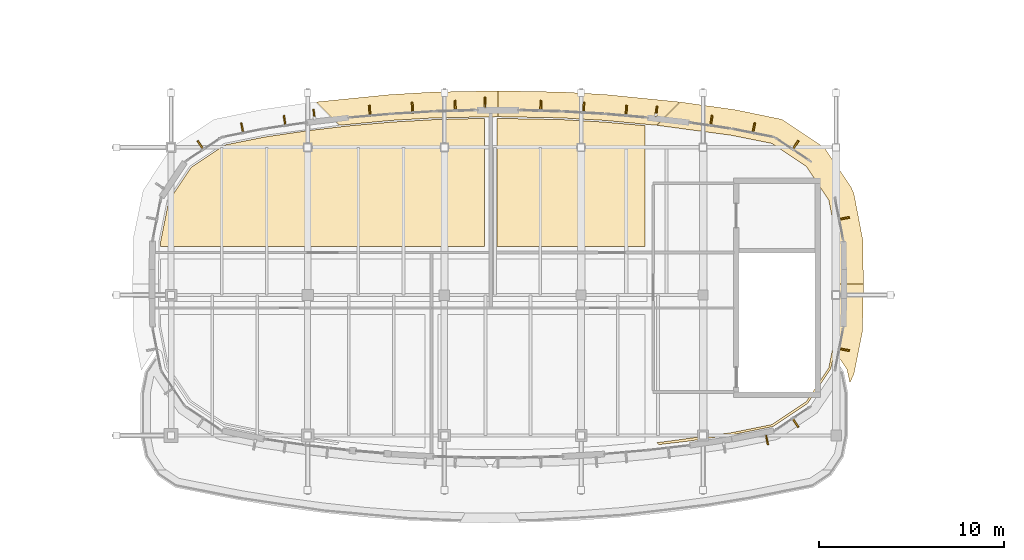
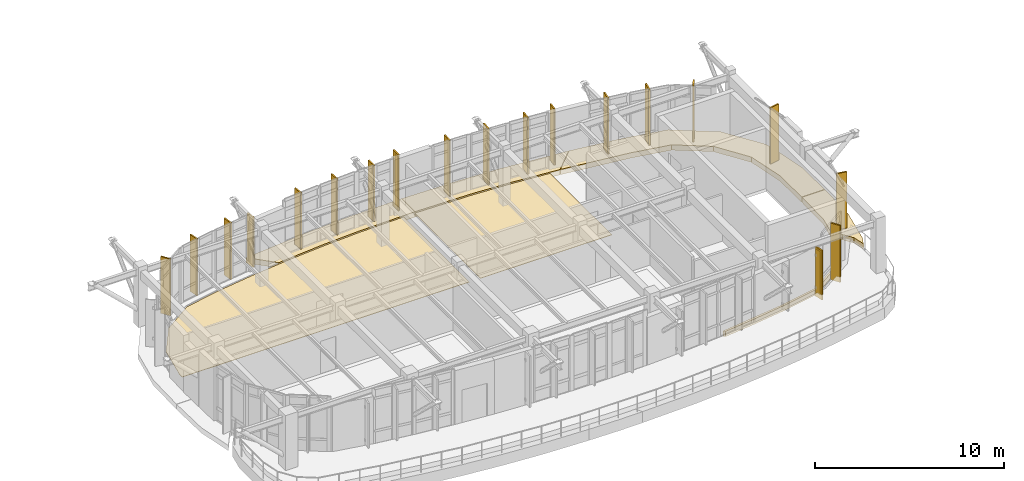
# One storey, part 95 of 105: 25 coverings, 4 shading devices.
"""IFC4 building model written with IfcOpenShell, lengths in metres."""

from ifc_helpers import new_model, si_unit, direction, frame, origin, origin_2d, place, context, subcontext, project, spatial, polyline, rectangle, outline, extrude, material, layer, layer_set, type_object, element, save


model = new_model("IFC4")

# Units and contexts
model_context = context("Model", 3, precision=1e-05, world=origin(), true_north=direction((0.0, 1.0)))
body_context = subcontext(model_context, "Body", "Model", "MODEL_VIEW")
ifc_project = project(units=[si_unit("LENGTHUNIT", "METRE"), si_unit("AREAUNIT", "SQUARE_METRE"), si_unit("VOLUMEUNIT", "CUBIC_METRE"), si_unit("PLANEANGLEUNIT", "RADIAN"), si_unit("MASSUNIT", "GRAM", prefix="KILO")], contexts=[model_context])

# Site, building, storey
site_placement = place(None, origin())
site = spatial("IfcSite", under=ifc_project, at=site_placement, CompositionType="ELEMENT")
building_placement = place(site_placement, origin())
building = spatial("IfcBuilding", under=site, at=building_placement, Name="Corveleigh Park Community Centre", CompositionType="ELEMENT")
storey_placement = place(building_placement, frame((0.0, 0.0, 8.699951171875)))
storey = spatial("IfcBuildingStorey", under=building, at=storey_placement, Name="L02", CompositionType="ELEMENT", Elevation=8.699951171875)

# Coverings
ifc_material_1 = material(Name="Warm buff ribbed architectural cladding", Category="masonry")
ifc_layer_1 = layer(ifc_material_1, 0.0849609375, Name="Warm buff ribbed architectural cladding", Category="masonry")
ifc_layer_set_1 = layer_set([ifc_layer_1], Name="Warm buff ribbed architectural cladding")
covering_type_1 = type_object("IfcCoveringType", Name="COV-CLD-BUF", PredefinedType="CLADDING", material=ifc_layer_set_1)
covering_1_placement = place(storey_placement, origin())
element("IfcCovering", 1, at=covering_1_placement, inside=storey, type_object=covering_type_1, Name="V3 L02 Brise-soleil blade 344", PredefinedType="CLADDING", context=body_context, shape_type="SweptSolid", body=[
    extrude(outline(polyline([(104.2509765625, 11.22900390625), (104.1669921875, 11.212890625), (104.27099609375, 10.68798828125), (104.35498046875, 10.705078125), (104.2509765625, 11.22900390625)])), origin(), (0.0, 0.0, 1.0), 3.18701171875),
])
covering_2_placement = place(storey_placement, origin())
element("IfcCovering", 2, at=covering_2_placement, inside=storey, type_object=covering_type_1, Name="V3 L02 Brise-soleil blade 345", PredefinedType="CLADDING", context=body_context, shape_type="SweptSolid", body=[
    extrude(outline(polyline([(105.672119140625, 12.156005859375), (105.60107421875, 12.10888671875), (105.923095703125, 11.6259765625), (105.993896484375, 11.673095703125), (105.672119140625, 12.156005859375)])), origin(), (0.0, 0.0, 1.0), 3.6640625),
])
covering_3_placement = place(storey_placement, origin())
element("IfcCovering", 3, at=covering_3_placement, inside=storey, type_object=covering_type_1, Name="V3 L02 Brise-soleil blade 346", PredefinedType="CLADDING", context=body_context, shape_type="SweptSolid", body=[
    extrude(outline(polyline([(108.160888671875, 15.947021484375), (108.14404296875, 15.863037109375), (108.712890625, 15.75), (108.72998046875, 15.833984375), (108.160888671875, 15.947021484375)])), origin(), (0.0, 0.0, 1.0), 3.6640625),
])
covering_4_placement = place(storey_placement, origin())
element("IfcCovering", 4, at=covering_4_placement, inside=storey, type_object=covering_type_1, Name="V3 L02 Brise-soleil blade 347", PredefinedType="CLADDING", context=body_context, shape_type="SweptSolid", body=[
    extrude(outline(polyline([(108.14404296875, 22.93701171875), (108.160888671875, 22.85302734375), (108.72998046875, 22.966064453125), (108.712890625, 23.050048828125), (108.14404296875, 22.93701171875)])), origin(), (0.0, 0.0, 1.0), 3.6640625),
])
covering_5_placement = place(storey_placement, origin())
element("IfcCovering", 5, at=covering_5_placement, inside=storey, type_object=covering_type_1, Name="V3 L02 Brise-soleil blade 348", PredefinedType="CLADDING", context=body_context, shape_type="SweptSolid", body=[
    extrude(outline(polyline([(105.60107421875, 26.69091796875), (105.672119140625, 26.64404296875), (105.993896484375, 27.126953125), (105.923095703125, 27.174072265625), (105.60107421875, 26.69091796875)])), origin(), (0.0, 0.0, 1.0), 3.6640625),
])
covering_6_placement = place(storey_placement, origin())
element("IfcCovering", 6, at=covering_6_placement, inside=storey, type_object=covering_type_1, Name="V3 L02 Brise-soleil blade 349", PredefinedType="CLADDING", context=body_context, shape_type="SweptSolid", body=[
    extrude(outline(polyline([(103.447021484375, 27.56201171875), (103.530029296875, 27.5458984375), (103.64306640625, 28.114990234375), (103.56005859375, 28.131103515625), (103.447021484375, 27.56201171875)])), origin(), (0.0, 0.0, 1.0), 3.6640625),
])
covering_7_placement = place(storey_placement, origin())
element("IfcCovering", 7, at=covering_7_placement, inside=storey, type_object=covering_type_1, Name="V3 L02 Brise-soleil blade 350", PredefinedType="CLADDING", context=body_context, shape_type="SweptSolid", body=[
    extrude(outline(polyline([(101.1630859375, 27.9541015625), (101.2470703125, 27.94189453125), (101.3310546875, 28.51611328125), (101.2470703125, 28.528076171875), (101.1630859375, 27.9541015625)])), origin(), (0.0, 0.0, 1.0), 3.6640625),
])
covering_8_placement = place(storey_placement, origin())
element("IfcCovering", 8, at=covering_8_placement, inside=storey, type_object=covering_type_1, Name="V3 L02 Brise-soleil blade 351", PredefinedType="CLADDING", context=body_context, shape_type="SweptSolid", body=[
    extrude(outline(polyline([(98.202880859375, 28.5), (98.287109375, 28.489990234375), (98.34912109375, 29.02099609375), (98.264892578125, 29.031005859375), (98.202880859375, 28.5)])), origin(), (0.0, 0.0, 1.0), 3.6640625),
])
covering_9_placement = place(storey_placement, origin())
element("IfcCovering", 9, at=covering_9_placement, inside=storey, type_object=covering_type_1, Name="V3 L02 Brise-soleil blade 352", PredefinedType="CLADDING", context=body_context, shape_type="SweptSolid", body=[
    extrude(outline(polyline([(96.576904296875, 28.489013671875), (96.662109375, 28.48095703125), (96.7119140625, 29.05908203125), (96.6279296875, 29.06689453125), (96.576904296875, 28.489013671875)])), origin(), (0.0, 0.0, 1.0), 3.6640625),
])
covering_10_placement = place(storey_placement, origin())
element("IfcCovering", 10, at=covering_10_placement, inside=storey, type_object=covering_type_1, Name="V3 L02 Brise-soleil blade 353", PredefinedType="CLADDING", context=body_context, shape_type="SweptSolid", body=[
    extrude(outline(polyline([(94.27294921875, 28.655029296875), (94.35791015625, 28.65087890625), (94.39208984375, 29.22998046875), (94.306884765625, 29.23388671875), (94.27294921875, 28.655029296875)])), origin(), (0.0, 0.0, 1.0), 3.6640625),
])
covering_11_placement = place(storey_placement, origin())
element("IfcCovering", 11, at=covering_11_placement, inside=storey, type_object=covering_type_1, Name="V3 L02 Brise-soleil blade 354", PredefinedType="CLADDING", context=body_context, shape_type="SweptSolid", body=[
    extrude(outline(polyline([(91.966064453125, 28.7548828125), (92.051025390625, 28.751953125), (92.068115234375, 29.33203125), (91.98291015625, 29.333984375), (91.966064453125, 28.7548828125)])), origin(), (0.0, 0.0, 1.0), 3.6640625),
])
covering_12_placement = place(storey_placement, origin())
element("IfcCovering", 12, at=covering_12_placement, inside=storey, type_object=covering_type_1, Name="V3 L02 Brise-soleil blade 355", PredefinedType="CLADDING", context=body_context, shape_type="SweptSolid", body=[
    extrude(outline(polyline([(88.9619140625, 28.9619140625), (89.047119140625, 28.9619140625), (89.047119140625, 29.4970703125), (88.9619140625, 29.4970703125), (88.9619140625, 28.9619140625)])), origin(), (0.0, 0.0, 1.0), 3.6640625),
])
covering_13_placement = place(storey_placement, origin())
element("IfcCovering", 13, at=covering_13_placement, inside=storey, type_object=covering_type_1, Name="V3 L02 Brise-soleil blade 356", PredefinedType="CLADDING", context=body_context, shape_type="SweptSolid", body=[
    extrude(outline(polyline([(87.34912109375, 28.751953125), (87.43408203125, 28.7548828125), (87.4169921875, 29.333984375), (87.33203125, 29.33203125), (87.34912109375, 28.751953125)])), origin(), (0.0, 0.0, 1.0), 3.6640625),
])
covering_14_placement = place(storey_placement, origin())
element("IfcCovering", 14, at=covering_14_placement, inside=storey, type_object=covering_type_1, Name="V3 L02 Brise-soleil blade 357", PredefinedType="CLADDING", context=body_context, shape_type="SweptSolid", body=[
    extrude(outline(polyline([(85.0419921875, 28.65087890625), (85.126953125, 28.655029296875), (85.093017578125, 29.23388671875), (85.008056640625, 29.22998046875), (85.0419921875, 28.65087890625)])), origin(), (0.0, 0.0, 1.0), 3.6640625),
])
covering_15_placement = place(storey_placement, origin())
element("IfcCovering", 15, at=covering_15_placement, inside=storey, type_object=covering_type_1, Name="V3 L02 Brise-soleil blade 358", PredefinedType="CLADDING", context=body_context, shape_type="SweptSolid", body=[
    extrude(outline(polyline([(82.738037109375, 28.48095703125), (82.822998046875, 28.489013671875), (82.77197265625, 29.06689453125), (82.68798828125, 29.05908203125), (82.738037109375, 28.48095703125)])), origin(), (0.0, 0.0, 1.0), 3.6640625),
])
covering_16_placement = place(storey_placement, origin())
element("IfcCovering", 16, at=covering_16_placement, inside=storey, type_object=covering_type_1, Name="V3 L02 Brise-soleil blade 359", PredefinedType="CLADDING", context=body_context, shape_type="SweptSolid", body=[
    extrude(outline(polyline([(79.73193359375, 28.318115234375), (79.81591796875, 28.326904296875), (79.75390625, 28.85888671875), (79.669921875, 28.84912109375), (79.73193359375, 28.318115234375)])), origin(), (0.0, 0.0, 1.0), 3.2431640625),
])
covering_17_placement = place(storey_placement, origin())
element("IfcCovering", 17, at=covering_17_placement, inside=storey, type_object=covering_type_1, Name="V3 L02 Brise-soleil blade 360", PredefinedType="CLADDING", context=body_context, shape_type="SweptSolid", body=[
    extrude(outline(polyline([(78.153076171875, 27.94189453125), (78.237060546875, 27.9541015625), (78.153076171875, 28.528076171875), (78.069091796875, 28.51611328125), (78.153076171875, 27.94189453125)])), origin(), (0.0, 0.0, 1.0), 3.6640625),
])
covering_18_placement = place(storey_placement, origin())
element("IfcCovering", 18, at=covering_18_placement, inside=storey, type_object=covering_type_1, Name="V3 L02 Brise-soleil blade 361", PredefinedType="CLADDING", context=body_context, shape_type="SweptSolid", body=[
    extrude(outline(polyline([(75.8701171875, 27.5458984375), (75.952880859375, 27.56201171875), (75.840087890625, 28.131103515625), (75.757080078125, 28.114990234375), (75.8701171875, 27.5458984375)])), origin(), (0.0, 0.0, 1.0), 3.6640625),
])
covering_19_placement = place(storey_placement, origin())
element("IfcCovering", 19, at=covering_19_placement, inside=storey, type_object=covering_type_1, Name="V3 L02 Brise-soleil blade 362", PredefinedType="CLADDING", context=body_context, shape_type="SweptSolid", body=[
    extrude(outline(polyline([(73.72802734375, 26.64404296875), (73.799072265625, 26.69091796875), (73.47705078125, 27.174072265625), (73.406005859375, 27.126953125), (73.72802734375, 26.64404296875)])), origin(), (0.0, 0.0, 1.0), 3.6640625),
])
ifc_material_2 = material(Name="White architectural fascia cladding", Category="masonry")
ifc_layer_2 = layer(ifc_material_2, 0.074951171875, Name="White architectural fascia cladding", Category="masonry")
ifc_layer_set_2 = layer_set([ifc_layer_2], Name="White architectural fascia cladding")
covering_type_2 = type_object("IfcCoveringType", Name="COV-CLD-WHT", PredefinedType="CLADDING", material=ifc_layer_set_2)
covering_20_placement = place(storey_placement, frame((0.0, 0.0, -0.300048828125)))
element("IfcCovering", 20, at=covering_20_placement, inside=storey, type_object=covering_type_2, Name="V3 L02 Horizontal Sun-Hood 1", PredefinedType="CLADDING", context=body_context, shape_type="SweptSolid", body=[
    extrude(outline(polyline([(99.56103515625, 29.2509765625), (102.556884765625, 28.830078125), (105.068115234375, 28.31005859375), (107.37109375, 26.77099609375), (108.81298828125, 24.64892578125), (108.969970703125, 24.27099609375), (109.449951171875, 21.77294921875), (109.48095703125, 19.409912109375), (108.0810546875, 19.408935546875), (108.051025390625, 21.714111328125), (107.610107421875, 23.928955078125), (106.376953125, 25.777099609375), (104.529052734375, 27.010009765625), (102.2919921875, 27.455078125), (98.298095703125, 27.989990234375), (99.56103515625, 29.2509765625)])), origin(), (0.0, 0.0, 1.0), 0.340087890625),
])
covering_21_placement = place(storey_placement, frame((0.0, 0.0, -0.300048828125)))
element("IfcCovering", 21, at=covering_21_placement, inside=storey, type_object=covering_type_2, Name="V3 L02 Horizontal Sun-Hood 2", PredefinedType="CLADDING", context=body_context, shape_type="SweptSolid", body=[
    extrude(outline(polyline([(89.705078125, 29.85693359375), (93.194091796875, 29.7900390625), (95.531005859375, 29.654052734375), (99.5439453125, 29.2529296875), (98.282958984375, 27.991943359375), (95.445068359375, 28.257080078125), (93.14892578125, 28.389892578125), (89.705078125, 28.45703125), (89.705078125, 29.85693359375)])), origin(), (0.0, 0.0, 1.0), 0.340087890625),
])
covering_22_placement = place(storey_placement, frame((0.0, 0.0, -0.300048828125)))
element("IfcCovering", 22, at=covering_22_placement, inside=storey, type_object=covering_type_2, Name="V3 L02 Horizontal Sun-Hood 3", PredefinedType="CLADDING", context=body_context, shape_type="SweptSolid", body=[
    extrude(outline(polyline([(79.85595703125, 29.2529296875), (83.837890625, 29.652099609375), (86.175048828125, 29.7880859375), (89.695068359375, 29.85693359375), (89.695068359375, 28.45703125), (86.2509765625, 28.389892578125), (83.955078125, 28.257080078125), (81.116943359375, 27.991943359375), (79.85595703125, 29.2529296875)])), origin(), (0.0, 0.0, 1.0), 0.340087890625),
])
covering_23_placement = place(storey_placement, frame((0.0, 0.0, -0.300048828125)))
element("IfcCovering", 23, at=covering_23_placement, inside=storey, type_object=covering_type_2, Name="V3 L02 Horizontal Sun-Hood 6", PredefinedType="CLADDING", context=body_context, shape_type="SweptSolid", body=[
    extrude(outline(polyline([(109.48095703125, 19.389892578125), (109.429931640625, 16.843017578125), (108.969970703125, 14.529052734375), (108.748046875, 14.052978515625), (108.593994140625, 14.77294921875), (108.216064453125, 15.33203125), (108.087890625, 15.39990234375), (107.967041015625, 15.39404296875), (107.80810546875, 15.2509765625), (107.718017578125, 14.824951171875), (106.4599609375, 12.93994140625), (104.572021484375, 11.680908203125), (102.31103515625, 11.23095703125), (100.034912109375, 10.89794921875), (98.402099609375, 10.7060546875), (98.298095703125, 10.81005859375), (102.2919921875, 11.344970703125), (104.529052734375, 11.7900390625), (106.376953125, 13.02294921875), (107.610107421875, 14.87109375), (108.051025390625, 17.0859375), (108.0810546875, 19.39111328125), (109.48095703125, 19.389892578125)])), origin(), (0.0, 0.0, 1.0), 0.340087890625),
])
ifc_material_3 = material(Name="Acoustic linoleum flooring", Category="wood")
ifc_layer_3 = layer(ifc_material_3, 0.02490234375, Name="Acoustic linoleum flooring", Category="wood")
ifc_layer_set_3 = layer_set([ifc_layer_3], Name="Acoustic linoleum flooring")
covering_type_3 = type_object("IfcCoveringType", Name="COV-FLR-LIN", PredefinedType="FLOORING", material=ifc_layer_set_3)
covering_24_placement = place(storey_placement, origin())
element("IfcCovering", 24, at=covering_24_placement, inside=storey, type_object=covering_type_3, Name="Community Boardroom and Lounge flooring", PredefinedType="FLOORING", context=body_context, shape_type="SweptSolid", body=[
    extrude(outline(polyline([(71.43408203125, 21.43994140625), (71.43896484375, 21.7041015625), (71.8740234375, 23.89404296875), (73.087890625, 25.7119140625), (74.906005859375, 26.926025390625), (77.123046875, 27.365966796875), (79.39208984375, 27.698974609375), (81.673095703125, 27.966064453125), (83.9619140625, 28.1669921875), (86.2548828125, 28.300048828125), (88.9599609375, 28.366943359375), (88.9599609375, 21.43994140625), (71.43408203125, 21.43994140625)])), origin(), (0.0, 0.0, 1.0), 0.025146484375),
])
covering_25_placement = place(storey_placement, origin())
element("IfcCovering", 25, at=covering_25_placement, inside=storey, type_object=covering_type_3, Name="Accessible Toilets V3 L02 flooring", PredefinedType="FLOORING", context=body_context, shape_type="SweptSolid", body=[
    extrude(outline(polyline([(97.659912109375, 21.43994140625), (89.639892578125, 21.43994140625), (89.639892578125, 28.366943359375), (93.14501953125, 28.300048828125), (95.43798828125, 28.1669921875), (97.659912109375, 27.971923828125), (97.659912109375, 21.43994140625)])), origin(), (0.0, 0.0, 1.0), 0.025146484375),
])

# Shading devices
ifc_material_4 = material(Name="Terracotta-anodised aluminium fin", Category="masonry")
shading_device_type_1 = type_object("IfcShadingDeviceType", Name="SHD-FIN-TER-350", PredefinedType="USERDEFINED", material=ifc_material_4)
shading_device_1_placement = place(storey_placement, frame((104.24609375, 11.034912109375, 0.25), z_axis=(0.0, 0.0, 1.0), x_axis=(0.194947048267, -0.980813768445, 0.0)))
element("IfcShadingDevice", 26, at=shading_device_1_placement, inside=storey, type_object=shading_device_type_1, Name="Terracotta brise-soleil fin 67", ObjectType="FIN", PredefinedType="USERDEFINED", context=body_context, shape_type="SweptSolid", body=[
    extrude(rectangle(XDim=0.35009765625, YDim=0.06005859375, at=origin_2d()), origin(), (0.0, 0.0, 1.0), 2.787109375),
])
shading_device_2_placement = place(storey_placement, frame((89.00390625, 29.152099609375, 0.25), z_axis=(0.0, 0.0, 1.0), x_axis=(0.0, 1.0, 0.0)))
element("IfcShadingDevice", 27, at=shading_device_2_placement, inside=storey, type_object=shading_device_type_1, Name="Terracotta brise-soleil fin 69", ObjectType="FIN", PredefinedType="USERDEFINED", context=body_context, shape_type="SweptSolid", body=[
    extrude(rectangle(XDim=0.35009765625, YDim=0.06005859375, at=origin_2d()), origin(), (0.0, 0.0, 1.0), 3.263916015625),
])
shading_device_type_2 = type_object("IfcShadingDeviceType", Name="SHD-FIN-TER-450", PredefinedType="USERDEFINED", material=ifc_material_4)
shading_device_3_placement = place(storey_placement, frame((98.26708984375, 28.68310546875, 0.25), z_axis=(0.0, 0.0, 1.0), x_axis=(0.116512098316, 0.993189272468, 0.0)))
element("IfcShadingDevice", 28, at=shading_device_3_placement, inside=storey, type_object=shading_device_type_2, Name="Terracotta brise-soleil fin 68", ObjectType="FIN", PredefinedType="USERDEFINED", context=body_context, shape_type="SweptSolid", body=[
    extrude(rectangle(XDim=0.449951171875, YDim=0.06494140625, at=origin_2d()), origin(), (0.0, 0.0, 1.0), 3.263916015625),
])
shading_device_4_placement = place(storey_placement, frame((79.751953125, 28.510986328125, 0.25), z_axis=(0.0, 0.0, 1.0), x_axis=(-0.116512098316, 0.993189272468, 0.0)))
element("IfcShadingDevice", 29, at=shading_device_4_placement, inside=storey, type_object=shading_device_type_2, Name="Terracotta brise-soleil fin 70", ObjectType="FIN", PredefinedType="USERDEFINED", context=body_context, shape_type="SweptSolid", body=[
    extrude(rectangle(XDim=0.449951171875, YDim=0.06494140625, at=origin_2d()), origin(), (0.0, 0.0, 1.0), 2.843017578125),
])

save(model, "model.ifc")
